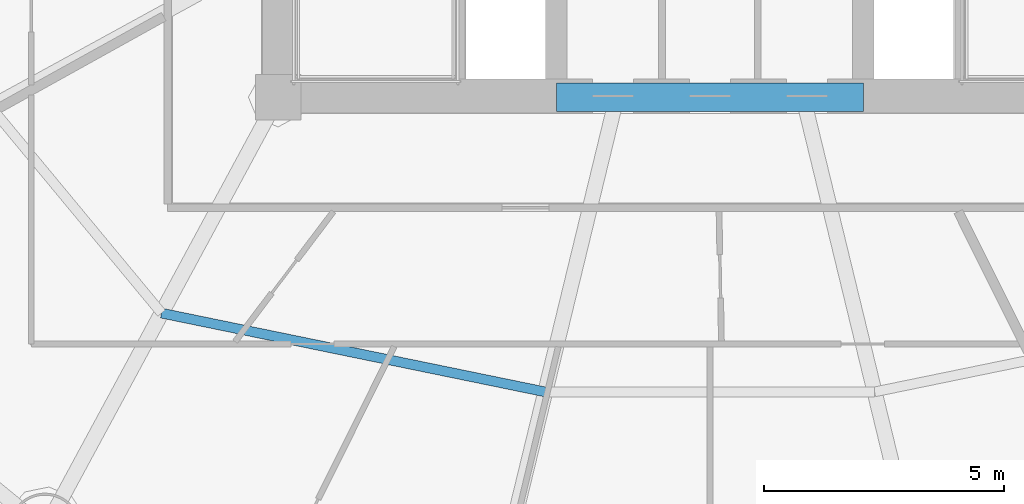
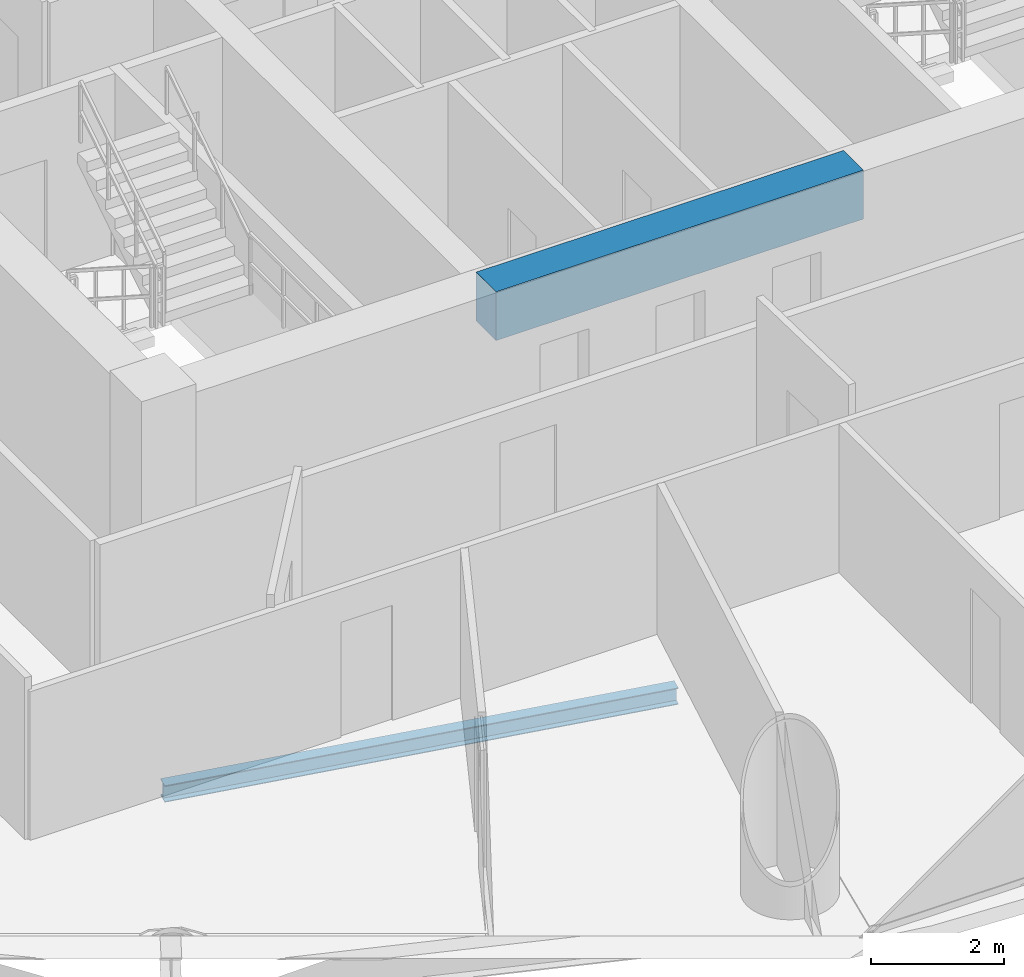
# One storey, part 5 of 28: 2 beams.
"""IFC4 building model written with IfcOpenShell, lengths in metres."""

from ifc_helpers import new_model, si_unit, direction, frame, origin, origin_2d, place, context, subcontext, project, spatial, rectangle, i_section, extrude, material, material_profile, profile_set, type_object, element, save


model = new_model("IFC4")

# Units and contexts
model_context = context("Model", 3, precision=1e-05, world=origin(), true_north=direction((-0.2419218956, 0.970295726276)))
body_context = subcontext(model_context, "Body", "Model", "MODEL_VIEW")
ifc_project = project(units=[si_unit("LENGTHUNIT", "METRE"), si_unit("AREAUNIT", "SQUARE_METRE"), si_unit("VOLUMEUNIT", "CUBIC_METRE"), si_unit("PLANEANGLEUNIT", "RADIAN"), si_unit("MASSUNIT", "GRAM", prefix="KILO")], contexts=[model_context])

# Site, building, storey
site_placement = place(None, origin())
site = spatial("IfcSite", under=ifc_project, at=site_placement, CompositionType="ELEMENT")
building_placement = place(site_placement, origin())
building = spatial("IfcBuilding", under=site, at=building_placement, Name="Cobrevalo Terracotta Tower", CompositionType="ELEMENT")
storey_placement = place(building_placement, frame((0.0, 0.0, 105.0)))
storey = spatial("IfcBuildingStorey", under=building, at=storey_placement, Name="L27", CompositionType="ELEMENT", Elevation=105.0)

# Beams
ifc_material_1 = material(Name="Concrete C60", Category="concrete")
ifc_material_profile_1 = material_profile(ifc_material_1, rectangle(XDim=0.60009765625, YDim=0.89990234375, at=origin_2d()), Name="RC CB 600x900")
ifc_profile_set_1 = profile_set([ifc_material_profile_1], Name="Concrete C60")
beam_type_1 = type_object("IfcBeamType", Name="Structural Beam RC CB 600x900 (Concrete C60)", PredefinedType="BEAM", material=ifc_profile_set_1)
beam_1_placement = place(storey_placement, frame((34.800048828125, 18.800048828125, 2.875), z_axis=(1.0, 0.0, 0.0), x_axis=(0.0, 1.0, 0.0)))
element("IfcBeam", 1, at=beam_1_placement, inside=storey, type_object=beam_type_1, Name="L27 core coupling beam 1", PredefinedType="BEAM", context=body_context, shape_type="SweptSolid", body=[
    extrude(rectangle(XDim=0.60009765625, YDim=0.89990234375, at=origin_2d()), origin(), (0.0, 0.0, 1.0), 6.39990234375),
])
ifc_material_2 = material(Name="Steel S355", Category="steel")
ifc_material_profile_2 = material_profile(ifc_material_2, i_section(OverallWidth=0.2041015625, OverallDepth=0.305908203125, WebThickness=0.008544921875, FlangeThickness=0.0146484375, at=origin_2d()), Name="W 310x67")
ifc_profile_set_2 = profile_set([ifc_material_profile_2], Name="Steel S355")
beam_type_2 = type_object("IfcBeamType", Name="Structural Joist W 310x67 (Steel S355)", PredefinedType="JOIST", material=ifc_profile_set_2)
beam_2_placement = place(storey_placement, frame((26.5693359375, 14.29833984375, -0.427978515625), z_axis=(0.979574469315, -0.201081722357, 0.0), x_axis=(0.201081722357, 0.979574469315, 0.0)))
element("IfcBeam", 2, at=beam_2_placement, inside=storey, type_object=beam_type_2, Name="L27 circumferential secondary floor joist 11", PredefinedType="JOIST", context=body_context, shape_type="SweptSolid", body=[
    extrude(i_section(OverallWidth=0.2041015625, OverallDepth=0.305908203125, WebThickness=0.008544921875, FlangeThickness=0.0146484375, at=origin_2d()), origin(), (0.0, 0.0, 1.0), 8.1650390625),
])

save(model, "model.ifc")
